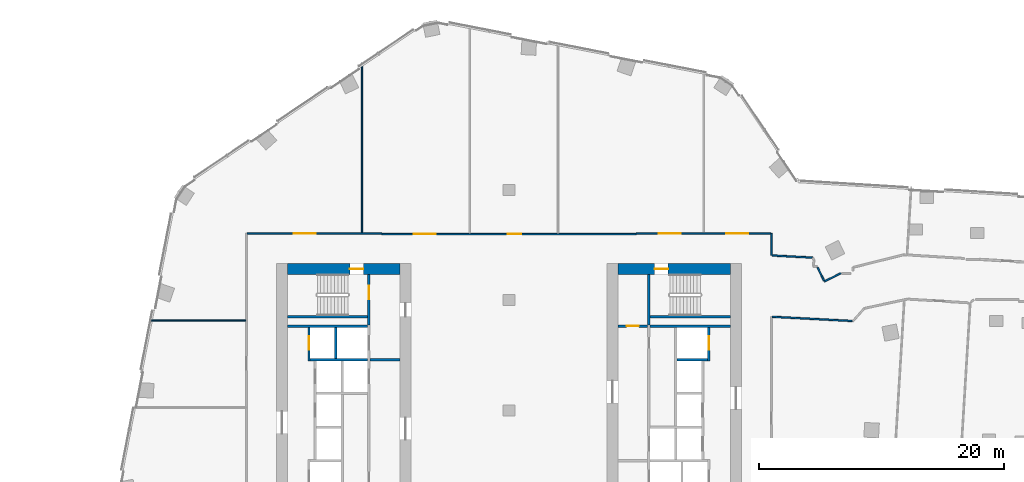
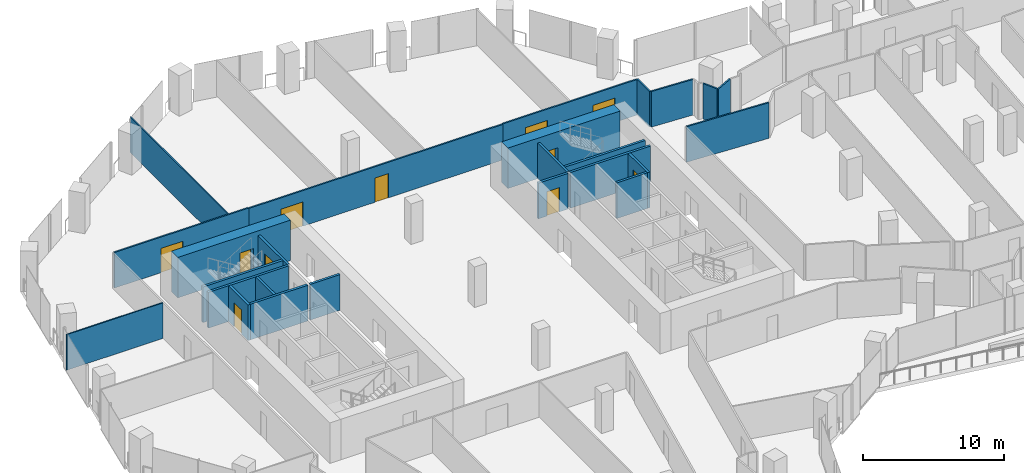
# One storey, part 26 of 34: 25 walls, 11 doors, 11 openings.
"""IFC4 building model written with IfcOpenShell, lengths in metres."""

from ifc_helpers import new_model, si_unit, direction, frame, frame_2d, origin, place, context, subcontext, project, spatial, rectangle, extrude, material, layer, layer_set, type_object, element, fill, save


model = new_model("IFC4")

# Units and contexts
model_context = context("Model", 3, precision=1e-05, world=origin(), true_north=direction((0.0, 1.0)))
body_context = subcontext(model_context, "Body", "Model", "MODEL_VIEW")
ifc_project = project(units=[si_unit("LENGTHUNIT", "METRE"), si_unit("AREAUNIT", "SQUARE_METRE"), si_unit("VOLUMEUNIT", "CUBIC_METRE"), si_unit("PLANEANGLEUNIT", "RADIAN"), si_unit("MASSUNIT", "GRAM", prefix="KILO")], contexts=[model_context])

# Site, building, storey
site_placement = place(None, origin())
site = spatial("IfcSite", under=ifc_project, at=site_placement, CompositionType="ELEMENT")
building_placement = place(site_placement, origin())
building = spatial("IfcBuilding", under=site, at=building_placement, Name="Orlundy Tower", CompositionType="ELEMENT")
storey_placement = place(building_placement, frame((0.0, 0.0, 145.60009765625)))
storey = spatial("IfcBuildingStorey", under=building, at=storey_placement, Name="L37", CompositionType="ELEMENT", Elevation=145.60009765625)

# Wall, opening, door
ifc_material_1 = material(Name="Concrete C70/85", Category="concrete")
ifc_layer_1 = layer(ifc_material_1, 0.89990234375)
ifc_layer_set_1 = layer_set([ifc_layer_1], Name="CORE WALL 900 C70/85")
wall_type_1 = type_object("IfcWallType", Name="CORE WALL 900 C70/85", PredefinedType="SHEAR", material=ifc_layer_set_1)
wall_1_placement = place(storey_placement, frame((-18.10009765625, 11.550048828125, 0.0), z_axis=(0.0, 0.0, 1.0), x_axis=(1.0, 0.0, 0.0)))
wall_1 = element("IfcWall", 1, at=wall_1_placement, inside=storey, type_object=wall_type_1, Name="Core wall W-N L37", PredefinedType="SHEAR", context=body_context, shape_type="SweptSolid", body=[
    extrude(rectangle(XDim=9.2001953125, YDim=0.89990234375, at=frame_2d((4.60009765625, 0.0))), origin(), (0.0, 0.0, 1.0), 3.5),
])
opening_1_placement = place(wall_1_placement, frame((5.10009765625, 0.0, 0.0)))
opening_1 = element("IfcOpeningElement", 2, at=opening_1_placement, cuts=wall_1, Name="Opening 28011", PredefinedType="OPENING", context=body_context, shape_type="SweptSolid", body=[
    extrude(rectangle(XDim=1.10009765625, YDim=2.10009765625, at=frame_2d((0.550048828125, 1.050048828125))), frame((0.0, 0.4599609375, 0.0), z_axis=(0.0, -1.0, 0.0), x_axis=(1.0, 0.0, 0.0)), (0.0, 0.0, 1.0), 0.919921875),
])
ifc_material_2 = material(Name="Steel door set", Category="steel")
door_type_1 = type_object("IfcDoorType", Name="Stair Door 1100x2100", OperationType="SINGLE_SWING_LEFT", PredefinedType="DOOR", material=ifc_material_2)
door_1_placement = place(opening_1_placement, origin())
door_1 = element("IfcDoor", 3, at=door_1_placement, inside=storey, type_object=door_type_1, Name="Stair door 28011", OperationType="SINGLE_SWING_RIGHT", OverallHeight=2.10009765625, OverallWidth=1.10009765625, PredefinedType="DOOR", context=body_context, shape_type="SweptSolid", body=[
    extrude(rectangle(XDim=1.10009765625, YDim=2.10009765625, at=frame_2d((0.550048828125, 1.050048828125))), frame((0.0, 0.02490234375, 0.0), z_axis=(0.0, -1.0, 0.0), x_axis=(1.0, 0.0, 0.0)), (0.0, 0.0, 1.0), 0.050048828125),
])
fill(opening_1, door_1)

wall_2_placement = place(storey_placement, frame((8.89990234375, 11.550048828125, 0.0), z_axis=(0.0, 0.0, 1.0), x_axis=(1.0, 0.0, 0.0)))
wall_2 = element("IfcWall", 4, at=wall_2_placement, inside=storey, type_object=wall_type_1, Name="Core wall E-N L37", PredefinedType="SHEAR", context=body_context, shape_type="SweptSolid", body=[
    extrude(rectangle(XDim=9.2001953125, YDim=0.89990234375, at=frame_2d((4.60009765625, 0.0))), origin(), (0.0, 0.0, 1.0), 3.5),
])
opening_2_placement = place(wall_2_placement, frame((3.0, 0.0, 0.0)))
opening_2 = element("IfcOpeningElement", 5, at=opening_2_placement, cuts=wall_2, Name="Opening 28061", PredefinedType="OPENING", context=body_context, shape_type="SweptSolid", body=[
    extrude(rectangle(XDim=1.10009765625, YDim=2.10009765625, at=frame_2d((0.550048828125, 1.050048828125))), frame((0.0, 0.4599609375, 0.0), z_axis=(0.0, -1.0, 0.0), x_axis=(1.0, 0.0, 0.0)), (0.0, 0.0, 1.0), 0.919921875),
])
door_2_placement = place(opening_2_placement, origin())
door_2 = element("IfcDoor", 6, at=door_2_placement, inside=storey, type_object=door_type_1, Name="Stair door 28061", OperationType="SINGLE_SWING_LEFT", OverallHeight=2.10009765625, OverallWidth=1.10009765625, PredefinedType="DOOR", context=body_context, shape_type="SweptSolid", body=[
    extrude(rectangle(XDim=1.10009765625, YDim=2.10009765625, at=frame_2d((0.550048828125, 1.050048828125))), frame((0.0, 0.02490234375, 0.0), z_axis=(0.0, -1.0, 0.0), x_axis=(1.0, 0.0, 0.0)), (0.0, 0.0, 1.0), 0.050048828125),
])
fill(opening_2, door_2)

# Walls
ifc_material_3 = material(Name="Gypsum board partition")
ifc_layer_2 = layer(ifc_material_3, 0.10009765625)
ifc_layer_set_2 = layer_set([ifc_layer_2], Name="Floor partition 100")
wall_type_2 = type_object("IfcWallType", Name="Floor partition 100", PredefinedType="PARTITIONING", material=ifc_layer_set_2)
wall_3_placement = place(storey_placement, frame((-29.389892578125, 7.3359375, 0.0), z_axis=(0.0, 0.0, 1.0), x_axis=(1.0, 0.0, 0.0)))
element("IfcWall", 7, at=wall_3_placement, inside=storey, type_object=wall_type_2, Name="wall-int-L37-069", PredefinedType="PARTITIONING", context=body_context, shape_type="SweptSolid", body=[
    extrude(rectangle(XDim=7.8779296875, YDim=0.10009765625, at=frame_2d((3.93896484375, 0.0))), origin(), (0.0, 0.0, 1.0), 3.079833984375),
])
wall_4_placement = place(storey_placement, frame((-12.0, 14.513916015625, 0.0), z_axis=(0.0, 0.0, 1.0), x_axis=(0.0, 1.0, 0.0)))
element("IfcWall", 8, at=wall_4_placement, inside=storey, type_object=wall_type_2, Name="wall-int-L37-146", PredefinedType="PARTITIONING", context=body_context, shape_type="SweptSolid", body=[
    extrude(rectangle(XDim=13.880126953125, YDim=0.10009765625, at=frame_2d((6.93994140625, 0.0))), origin(), (0.0, 0.0, 1.0), 3.079833984375),
])
ifc_material_4 = material(Name="Gypsum board partition, double layer")
ifc_layer_3 = layer(ifc_material_4, 0.125)
ifc_layer_set_3 = layer_set([ifc_layer_3], Name="Floor partition 125")
wall_type_3 = type_object("IfcWallType", Name="Floor partition 125", PredefinedType="PARTITIONING", material=ifc_layer_set_3)
wall_5_placement = place(storey_placement, frame((25.22412109375, 11.656982421875, 0.0), z_axis=(0.0, 0.0, 1.0), x_axis=(0.440468693638, -0.897767971096, 0.0)))
element("IfcWall", 9, at=wall_5_placement, inside=storey, type_object=wall_type_3, Name="wall-int-L37-007", PredefinedType="PARTITIONING", context=body_context, shape_type="SweptSolid", body=[
    extrude(rectangle(XDim=1.189453125, YDim=0.125, at=frame_2d((0.5947265625, 0.0))), origin(), (0.0, 0.0, 1.0), 3.079833984375),
])
wall_6_placement = place(storey_placement, frame((21.511962890625, 7.639892578125, 0.0), z_axis=(0.0, 0.0, 1.0), x_axis=(0.998607080765, -0.052762659579, 0.0)))
element("IfcWall", 10, at=wall_6_placement, inside=storey, type_object=wall_type_3, Name="wall-int-L37-045", PredefinedType="PARTITIONING", context=body_context, shape_type="SweptSolid", body=[
    extrude(rectangle(XDim=6.5380859375, YDim=0.125, at=frame_2d((3.26904296875, 0.0))), origin(), (0.0, 0.0, 1.0), 3.079833984375),
])
wall_7_placement = place(storey_placement, frame((21.511962890625, 12.64794921875, 0.0), z_axis=(0.0, 0.0, 1.0), x_axis=(0.998605393802, -0.052794578038, 0.0)))
element("IfcWall", 11, at=wall_7_placement, inside=storey, type_object=wall_type_3, Name="wall-int-L37-047", PredefinedType="PARTITIONING", context=body_context, shape_type="SweptSolid", body=[
    extrude(rectangle(XDim=3.315673828125, YDim=0.125, at=frame_2d((1.65771484375, 0.0))), origin(), (0.0, 0.0, 1.0), 3.079833984375),
])

# Wall, openings, doors
wall_8_placement = place(storey_placement, frame((-10.389892578125, 14.40087890625, 0.0), z_axis=(0.0, 0.0, 1.0), x_axis=(1.0, 0.0, 0.0)))
wall_8 = element("IfcWall", 12, at=wall_8_placement, inside=storey, type_object=wall_type_3, Name="wall-int-L37-075", PredefinedType="PARTITIONING", context=body_context, shape_type="SweptSolid", body=[
    extrude(rectangle(XDim=20.781005859375, YDim=0.125, at=frame_2d((10.390625, 0.0))), origin(), (0.0, 0.0, 1.0), 3.079833984375),
])
opening_3_placement = place(wall_8_placement, frame((10.294921875, 0.0, 0.0)))
opening_3 = element("IfcOpeningElement", 13, at=opening_3_placement, cuts=wall_8, Name="Opening 28130", PredefinedType="OPENING", context=body_context, shape_type="SweptSolid", body=[
    extrude(rectangle(XDim=1.10009765625, YDim=2.10009765625, at=frame_2d((0.550048828125, 1.050048828125))), frame((0.0, 0.072509765625, 0.0), z_axis=(0.0, -1.0, 0.0), x_axis=(1.0, 0.0, 0.0)), (0.0, 0.0, 1.0), 0.14501953125),
])
opening_4_placement = place(wall_8_placement, frame((2.60009765625, 0.0, 0.0)))
opening_4 = element("IfcOpeningElement", 14, at=opening_4_placement, cuts=wall_8, Name="Opening 28131", PredefinedType="OPENING", context=body_context, shape_type="SweptSolid", body=[
    extrude(rectangle(XDim=1.800048828125, YDim=2.10009765625, at=frame_2d((0.89990234375, 1.050048828125))), frame((0.0, 0.072509765625, 0.0), z_axis=(0.0, -1.0, 0.0), x_axis=(1.0, 0.0, 0.0)), (0.0, 0.0, 1.0), 0.14501953125),
])
ifc_material_5 = material(Name="Timber door leaf", Category="wood")
door_type_2 = type_object("IfcDoorType", Name="Floor door double 1800 FD30S", OperationType="NOTDEFINED", PredefinedType="DOOR", material=ifc_material_5)
door_3_placement = place(opening_4_placement, origin())
door_3 = element("IfcDoor", 15, at=door_3_placement, inside=storey, type_object=door_type_2, Name="Door 28131", OperationType="DOUBLE_DOOR_SINGLE_SWING", OverallHeight=2.10009765625, OverallWidth=1.800048828125, PredefinedType="DOOR", context=body_context, shape_type="SweptSolid", body=[
    extrude(rectangle(XDim=1.800048828125, YDim=2.10009765625, at=frame_2d((0.89990234375, 1.050048828125))), frame((0.0, 0.02490234375, 0.0), z_axis=(0.0, -1.0, 0.0), x_axis=(1.0, 0.0, 0.0)), (0.0, 0.0, 1.0), 0.050048828125),
])
fill(opening_4, door_3)
ifc_material_6 = material(Name="Timber door leaf", Category="wood")
door_type_3 = type_object("IfcDoorType", Name="Floor door xwide 1100 FD30S", OperationType="NOTDEFINED", PredefinedType="DOOR", material=ifc_material_6)
door_4_placement = place(opening_3_placement, origin())
door_4 = element("IfcDoor", 16, at=door_4_placement, inside=storey, type_object=door_type_3, Name="Door 28130", OperationType="SINGLE_SWING_RIGHT", OverallHeight=2.10009765625, OverallWidth=1.10009765625, PredefinedType="DOOR", context=body_context, shape_type="SweptSolid", body=[
    extrude(rectangle(XDim=1.10009765625, YDim=2.10009765625, at=frame_2d((0.550048828125, 1.050048828125))), frame((0.0, 0.02490234375, 0.0), z_axis=(0.0, -1.0, 0.0), x_axis=(1.0, 0.0, 0.0)), (0.0, 0.0, 1.0), 0.050048828125),
])
fill(opening_3, door_4)

# Wall, opening, door
wall_9_placement = place(storey_placement, frame((-21.386962890625, 14.450927734375, 0.0), z_axis=(0.0, 0.0, 1.0), x_axis=(1.0, 0.0, 0.0)))
wall_9 = element("IfcWall", 17, at=wall_9_placement, inside=storey, type_object=wall_type_3, Name="wall-int-L37-076", PredefinedType="PARTITIONING", context=body_context, shape_type="SweptSolid", body=[
    extrude(rectangle(XDim=10.995849609375, YDim=0.125, at=frame_2d((5.498046875, 0.0))), origin(), (0.0, 0.0, 1.0), 3.079833984375),
])
opening_5_placement = place(wall_9_placement, frame((3.78759765625, 0.0, 0.0)))
opening_5 = element("IfcOpeningElement", 18, at=opening_5_placement, cuts=wall_9, Name="Opening 28132", PredefinedType="OPENING", context=body_context, shape_type="SweptSolid", body=[
    extrude(rectangle(XDim=1.800048828125, YDim=2.10009765625, at=frame_2d((0.89990234375, 1.050048828125))), frame((0.0, 0.072509765625, 0.0), z_axis=(0.0, -1.0, 0.0), x_axis=(1.0, 0.0, 0.0)), (0.0, 0.0, 1.0), 0.14501953125),
])
door_5_placement = place(opening_5_placement, origin())
door_5 = element("IfcDoor", 19, at=door_5_placement, inside=storey, type_object=door_type_2, Name="Door 28132", OperationType="DOUBLE_DOOR_SINGLE_SWING", OverallHeight=2.10009765625, OverallWidth=1.800048828125, PredefinedType="DOOR", context=body_context, shape_type="SweptSolid", body=[
    extrude(rectangle(XDim=1.800048828125, YDim=2.10009765625, at=frame_2d((0.89990234375, 1.050048828125))), frame((0.0, 0.02490234375, 0.0), z_axis=(0.0, -1.0, 0.0), x_axis=(1.0, 0.0, 0.0)), (0.0, 0.0, 1.0), 0.050048828125),
])
fill(opening_5, door_5)

# Wall, openings, doors
wall_10_placement = place(storey_placement, frame((10.39111328125, 14.450927734375, 0.0), z_axis=(0.0, 0.0, 1.0), x_axis=(1.0, 0.0, 0.0)))
wall_10 = element("IfcWall", 20, at=wall_10_placement, inside=storey, type_object=wall_type_3, Name="wall-int-L37-077", PredefinedType="PARTITIONING", context=body_context, shape_type="SweptSolid", body=[
    extrude(rectangle(XDim=10.995849609375, YDim=0.125, at=frame_2d((5.498046875, 0.0))), origin(), (0.0, 0.0, 1.0), 3.079833984375),
])
opening_6_placement = place(wall_10_placement, frame((7.3798828125, 0.0, 0.0)))
opening_6 = element("IfcOpeningElement", 21, at=opening_6_placement, cuts=wall_10, Name="Opening 28128", PredefinedType="OPENING", context=body_context, shape_type="SweptSolid", body=[
    extrude(rectangle(XDim=1.800048828125, YDim=2.10009765625, at=frame_2d((0.89990234375, 1.050048828125))), frame((0.0, 0.072509765625, 0.0), z_axis=(0.0, -1.0, 0.0), x_axis=(1.0, 0.0, 0.0)), (0.0, 0.0, 1.0), 0.14501953125),
])
opening_7_placement = place(wall_10_placement, frame((1.85009765625, 0.0, 0.0)))
opening_7 = element("IfcOpeningElement", 22, at=opening_7_placement, cuts=wall_10, Name="Opening 28129", PredefinedType="OPENING", context=body_context, shape_type="SweptSolid", body=[
    extrude(rectangle(XDim=1.800048828125, YDim=2.10009765625, at=frame_2d((0.89990234375, 1.050048828125))), frame((0.0, 0.072509765625, 0.0), z_axis=(0.0, -1.0, 0.0), x_axis=(1.0, 0.0, 0.0)), (0.0, 0.0, 1.0), 0.14501953125),
])
door_6_placement = place(opening_6_placement, origin())
door_6 = element("IfcDoor", 23, at=door_6_placement, inside=storey, type_object=door_type_2, Name="Door 28128", OperationType="DOUBLE_DOOR_SINGLE_SWING", OverallHeight=2.10009765625, OverallWidth=1.800048828125, PredefinedType="DOOR", context=body_context, shape_type="SweptSolid", body=[
    extrude(rectangle(XDim=1.800048828125, YDim=2.10009765625, at=frame_2d((0.89990234375, 1.050048828125))), frame((0.0, 0.02490234375, 0.0), z_axis=(0.0, -1.0, 0.0), x_axis=(1.0, 0.0, 0.0)), (0.0, 0.0, 1.0), 0.050048828125),
])
fill(opening_6, door_6)
door_7_placement = place(opening_7_placement, origin())
door_7 = element("IfcDoor", 24, at=door_7_placement, inside=storey, type_object=door_type_2, Name="Door 28129", OperationType="DOUBLE_DOOR_SINGLE_SWING", OverallHeight=2.10009765625, OverallWidth=1.800048828125, PredefinedType="DOOR", context=body_context, shape_type="SweptSolid", body=[
    extrude(rectangle(XDim=1.800048828125, YDim=2.10009765625, at=frame_2d((0.89990234375, 1.050048828125))), frame((0.0, 0.02490234375, 0.0), z_axis=(0.0, -1.0, 0.0), x_axis=(1.0, 0.0, 0.0)), (0.0, 0.0, 1.0), 0.050048828125),
])
fill(opening_7, door_7)

# Walls
wall_11_placement = place(storey_placement, frame((25.77587890625, 10.532958984375, 0.0), z_axis=(0.0, 0.0, 1.0), x_axis=(0.897637072003, 0.440735393367, 0.0)))
element("IfcWall", 25, at=wall_11_placement, inside=storey, type_object=wall_type_3, Name="wall-int-L37-084", PredefinedType="PARTITIONING", context=body_context, shape_type="SweptSolid", body=[
    extrude(rectangle(XDim=1.4951171875, YDim=0.125, at=frame_2d((0.74755859375, 0.0))), origin(), (0.0, 0.0, 1.0), 3.079833984375),
])
wall_12_placement = place(storey_placement, frame((21.449951171875, 12.65087890625, 0.0), z_axis=(0.0, 0.0, 1.0), x_axis=(0.0, 1.0, 0.0)))
element("IfcWall", 26, at=wall_12_placement, inside=storey, type_object=wall_type_3, Name="wall-int-L37-134", PredefinedType="PARTITIONING", context=body_context, shape_type="SweptSolid", body=[
    extrude(rectangle(XDim=1.800048828125, YDim=0.125, at=frame_2d((0.89990234375, 0.0))), origin(), (0.0, 0.0, 1.0), 3.079833984375),
])

# Wall, opening, door
ifc_material_7 = material(Name="Concrete C40/50", Category="concrete")
ifc_layer_4 = layer(ifc_material_7, 0.199951171875)
ifc_layer_set_4 = layer_set([ifc_layer_4], Name="Load-bearing Shaft Wall 200")
wall_type_4 = type_object("IfcWallType", Name="Load-bearing Shaft Wall 200", PredefinedType="SOLIDWALL", material=ifc_layer_set_4)
wall_13_placement = place(storey_placement, frame((-11.43994140625, 6.97509765625, 0.0), z_axis=(0.0, 0.0, 1.0), x_axis=(0.0, 1.0, 0.0)))
wall_13 = element("IfcWall", 27, at=wall_13_placement, inside=storey, type_object=wall_type_4, Name="Shaft wall W28-stair-end-n", PredefinedType="SOLIDWALL", context=body_context, shape_type="SweptSolid", body=[
    extrude(rectangle(XDim=4.125, YDim=0.199951171875, at=frame_2d((2.0625, 0.0))), origin(), (0.0, 0.0, 1.0), 3.08984375),
])
opening_8_placement = place(wall_13_placement, frame((2.10009765625, 0.0, 0.0)))
opening_8 = element("IfcOpeningElement", 28, at=opening_8_placement, cuts=wall_13, Name="Opening 28013", PredefinedType="OPENING", context=body_context, shape_type="SweptSolid", body=[
    extrude(rectangle(XDim=1.10009765625, YDim=2.10009765625, at=frame_2d((0.550048828125, 1.050048828125))), frame((0.0, 0.110107421875, 0.0), z_axis=(0.0, -1.0, 0.0), x_axis=(1.0, 0.0, 0.0)), (0.0, 0.0, 1.0), 0.22021484375),
])
ifc_material_8 = material(Name="Steel door set", Category="steel")
door_type_4 = type_object("IfcDoorType", Name="Fire-fighting Lobby Door 1100x2100", OperationType="SINGLE_SWING_LEFT", PredefinedType="DOOR", material=ifc_material_8)
door_8_placement = place(opening_8_placement, origin())
door_8 = element("IfcDoor", 29, at=door_8_placement, inside=storey, type_object=door_type_4, Name="Fire-fighting lobby to stair door 28013", OperationType="SINGLE_SWING_RIGHT", OverallHeight=2.10009765625, OverallWidth=1.10009765625, PredefinedType="DOOR", context=body_context, shape_type="SweptSolid", body=[
    extrude(rectangle(XDim=1.10009765625, YDim=2.10009765625, at=frame_2d((0.550048828125, 1.050048828125))), frame((0.0, 0.02490234375, 0.0), z_axis=(0.0, -1.0, 0.0), x_axis=(1.0, 0.0, 0.0)), (0.0, 0.0, 1.0), 0.050048828125),
])
fill(opening_8, door_8)

# Walls
wall_14_placement = place(storey_placement, frame((-11.5400390625, 7.64990234375, 0.0), z_axis=(0.0, 0.0, 1.0), x_axis=(-1.0, 0.0, 0.0)))
element("IfcWall", 30, at=wall_14_placement, inside=storey, type_object=wall_type_4, Name="Shaft wall W28-stair-side-n", PredefinedType="SOLIDWALL", context=body_context, shape_type="SweptSolid", body=[
    extrude(rectangle(XDim=6.56005859375, YDim=0.199951171875, at=frame_2d((3.280029296875, 0.0))), origin(), (0.0, 0.0, 1.0), 3.08984375),
])
wall_15_placement = place(storey_placement, frame((11.43994140625, 11.10009765625, 0.0), z_axis=(0.0, 0.0, 1.0), x_axis=(0.0, -1.0, 0.0)))
element("IfcWall", 31, at=wall_15_placement, inside=storey, type_object=wall_type_4, Name="Shaft wall E28-stair-end-s", PredefinedType="SOLIDWALL", context=body_context, shape_type="SweptSolid", body=[
    extrude(rectangle(XDim=4.125, YDim=0.199951171875, at=frame_2d((2.0625, 0.0))), origin(), (0.0, 0.0, 1.0), 3.08984375),
])
wall_16_placement = place(storey_placement, frame((11.5400390625, 7.64990234375, 0.0), z_axis=(0.0, 0.0, 1.0), x_axis=(1.0, 0.0, 0.0)))
element("IfcWall", 32, at=wall_16_placement, inside=storey, type_object=wall_type_4, Name="Shaft wall E28-stair-side-s", PredefinedType="SOLIDWALL", context=body_context, shape_type="SweptSolid", body=[
    extrude(rectangle(XDim=6.56005859375, YDim=0.199951171875, at=frame_2d((3.280029296875, 0.0))), origin(), (0.0, 0.0, 1.0), 3.08984375),
])
ifc_material_9 = material(Name="Gypsum board partition on steel studs", Category="steel")
ifc_layer_5 = layer(ifc_material_9, 0.199951171875)
ifc_layer_set_5 = layer_set([ifc_layer_5], Name="Partition 200")
wall_type_5 = type_object("IfcWallType", Name="Partition 200", PredefinedType="PARTITIONING", material=ifc_layer_set_5)
wall_17_placement = place(storey_placement, frame((-8.89990234375, 4.125, 0.0), z_axis=(0.0, 0.0, 1.0), x_axis=(-1.0, 0.0, 0.0)))
element("IfcWall", 33, at=wall_17_placement, inside=storey, type_object=wall_type_5, Name="Partition wall W28-lobby-n", PredefinedType="PARTITIONING", context=body_context, shape_type="SweptSolid", body=[
    extrude(rectangle(XDim=2.440185546875, YDim=0.199951171875, at=frame_2d((1.22021484375, 0.0))), origin(), (0.0, 0.0, 1.0), 3.08984375),
])

# Wall, opening, door
wall_18_placement = place(storey_placement, frame((8.89990234375, 6.875, 0.0), z_axis=(0.0, 0.0, 1.0), x_axis=(1.0, 0.0, 0.0)))
wall_18 = element("IfcWall", 34, at=wall_18_placement, inside=storey, type_object=wall_type_5, Name="Partition wall E28-end-s", PredefinedType="PARTITIONING", context=body_context, shape_type="SweptSolid", body=[
    extrude(rectangle(XDim=2.440185546875, YDim=0.199951171875, at=frame_2d((1.22021484375, 0.0))), origin(), (0.0, 0.0, 1.0), 3.08984375),
])
opening_9_placement = place(wall_18_placement, frame((0.719970703125, 0.0, 0.0)))
opening_9 = element("IfcOpeningElement", 35, at=opening_9_placement, cuts=wall_18, Name="Opening 28063", PredefinedType="OPENING", context=body_context, shape_type="SweptSolid", body=[
    extrude(rectangle(XDim=1.0, YDim=2.10009765625, at=frame_2d((0.5, 1.050048828125))), frame((0.0, 0.110107421875, 0.0), z_axis=(0.0, -1.0, 0.0), x_axis=(1.0, 0.0, 0.0)), (0.0, 0.0, 1.0), 0.22021484375),
])
ifc_material_10 = material(Name="Timber door set", Category="wood")
door_type_5 = type_object("IfcDoorType", Name="Accessible Door 1000x2100", OperationType="SINGLE_SWING_LEFT", PredefinedType="DOOR", material=ifc_material_10)
door_9_placement = place(opening_9_placement, origin())
door_9 = element("IfcDoor", 36, at=door_9_placement, inside=storey, type_object=door_type_5, Name="Accessible WC door 28063", OperationType="SINGLE_SWING_RIGHT", OverallHeight=2.10009765625, OverallWidth=1.0, PredefinedType="DOOR", context=body_context, shape_type="SweptSolid", body=[
    extrude(rectangle(XDim=1.0, YDim=2.10009765625, at=frame_2d((0.5, 1.050048828125))), frame((0.0, 0.02490234375, 0.0), z_axis=(0.0, -1.0, 0.0), x_axis=(1.0, 0.0, 0.0)), (0.0, 0.0, 1.0), 0.050048828125),
])
fill(opening_9, door_9)

# Walls
ifc_material_11 = material(Name="Fire-rated blockwork shaft wall", Category="masonry")
ifc_layer_6 = layer(ifc_material_11, 0.199951171875)
ifc_layer_set_6 = layer_set([ifc_layer_6], Name="Shaft Wall 200")
wall_type_6 = type_object("IfcWallType", Name="Shaft Wall 200", PredefinedType="SOLIDWALL", material=ifc_layer_set_6)
wall_19_placement = place(storey_placement, frame((-11.5400390625, 6.875, 0.0), z_axis=(0.0, 0.0, 1.0), x_axis=(-1.0, 0.0, 0.0)))
element("IfcWall", 37, at=wall_19_placement, inside=storey, type_object=wall_type_6, Name="Shaft wall W28-zone-n", PredefinedType="SOLIDWALL", context=body_context, shape_type="SweptSolid", body=[
    extrude(rectangle(XDim=6.56005859375, YDim=0.199951171875, at=frame_2d((3.280029296875, 0.0))), origin(), (0.0, 0.0, 1.0), 3.08984375),
])
wall_20_placement = place(storey_placement, frame((-11.5400390625, 4.125, 0.0), z_axis=(0.0, 0.0, 1.0), x_axis=(-1.0, 0.0, 0.0)))
element("IfcWall", 38, at=wall_20_placement, inside=storey, type_object=wall_type_6, Name="Shaft wall W28-cross+4.125", PredefinedType="SOLIDWALL", context=body_context, shape_type="SweptSolid", body=[
    extrude(rectangle(XDim=4.699951171875, YDim=0.199951171875, at=frame_2d((2.35009765625, 0.0))), origin(), (0.0, 0.0, 1.0), 3.08984375),
])
wall_21_placement = place(storey_placement, frame((-14.139892578125, 4.22509765625, 0.0), z_axis=(0.0, 0.0, 1.0), x_axis=(0.0, 1.0, 0.0)))
element("IfcWall", 39, at=wall_21_placement, inside=storey, type_object=wall_type_6, Name="Shaft wall W28-mid-b", PredefinedType="SOLIDWALL", context=body_context, shape_type="SweptSolid", body=[
    extrude(rectangle(XDim=2.5498046875, YDim=0.199951171875, at=frame_2d((1.27490234375, 0.0))), origin(), (0.0, 0.0, 1.0), 3.08984375),
])

# Wall, opening, door
wall_22_placement = place(storey_placement, frame((-16.340087890625, 4.02490234375, 0.0), z_axis=(0.0, 0.0, 1.0), x_axis=(0.0, 1.0, 0.0)))
wall_22 = element("IfcWall", 40, at=wall_22_placement, inside=storey, type_object=wall_type_6, Name="Shaft wall W28-front-o-c", PredefinedType="SOLIDWALL", context=body_context, shape_type="SweptSolid", body=[
    extrude(rectangle(XDim=2.75, YDim=0.199951171875, at=frame_2d((1.375, 0.0))), origin(), (0.0, 0.0, 1.0), 3.08984375),
])
opening_10_placement = place(wall_22_placement, frame((0.925048828125, 0.0, 0.0)))
opening_10 = element("IfcOpeningElement", 41, at=opening_10_placement, cuts=wall_22, Name="Opening 28006", PredefinedType="OPENING", context=body_context, shape_type="SweptSolid", body=[
    extrude(rectangle(XDim=1.10009765625, YDim=2.10009765625, at=frame_2d((0.550048828125, 1.050048828125))), frame((0.0, 0.110107421875, 0.0), z_axis=(0.0, -1.0, 0.0), x_axis=(1.0, 0.0, 0.0)), (0.0, 0.0, 1.0), 0.22021484375),
])
ifc_material_12 = material(Name="Steel door set", Category="steel")
door_type_6 = type_object("IfcDoorType", Name="Landing Door 1100x2100", OperationType="DOUBLE_DOOR_SLIDING", PredefinedType="DOOR", material=ifc_material_12)
door_10_placement = place(opening_10_placement, origin())
door_10 = element("IfcDoor", 42, at=door_10_placement, inside=storey, type_object=door_type_6, Name="Lift landing door LP-14 28006", OperationType="DOUBLE_DOOR_SLIDING", OverallHeight=2.10009765625, OverallWidth=1.10009765625, PredefinedType="DOOR", context=body_context, shape_type="SweptSolid", body=[
    extrude(rectangle(XDim=1.10009765625, YDim=2.10009765625, at=frame_2d((0.550048828125, 1.050048828125))), frame((0.0, 0.02490234375, 0.0), z_axis=(0.0, -1.0, 0.0), x_axis=(1.0, 0.0, 0.0)), (0.0, 0.0, 1.0), 0.050048828125),
])
fill(opening_10, door_10)

# Walls
wall_23_placement = place(storey_placement, frame((11.5400390625, 6.875, 0.0), z_axis=(0.0, 0.0, 1.0), x_axis=(1.0, 0.0, 0.0)))
element("IfcWall", 43, at=wall_23_placement, inside=storey, type_object=wall_type_6, Name="Shaft wall E28-zone-s", PredefinedType="SOLIDWALL", context=body_context, shape_type="SweptSolid", body=[
    extrude(rectangle(XDim=6.56005859375, YDim=0.199951171875, at=frame_2d((3.280029296875, 0.0))), origin(), (0.0, 0.0, 1.0), 3.08984375),
])
wall_24_placement = place(storey_placement, frame((13.739990234375, 4.125, 0.0), z_axis=(0.0, 0.0, 1.0), x_axis=(1.0, 0.0, 0.0)))
element("IfcWall", 44, at=wall_24_placement, inside=storey, type_object=wall_type_6, Name="Shaft wall E28-cross-4.125", PredefinedType="SOLIDWALL", context=body_context, shape_type="SweptSolid", body=[
    extrude(rectangle(XDim=2.5, YDim=0.199951171875, at=frame_2d((1.25, 0.0))), origin(), (0.0, 0.0, 1.0), 3.08984375),
])

# Wall, opening, door
wall_25_placement = place(storey_placement, frame((16.340087890625, 6.77490234375, 0.0), z_axis=(0.0, 0.0, 1.0), x_axis=(0.0, -1.0, 0.0)))
wall_25 = element("IfcWall", 45, at=wall_25_placement, inside=storey, type_object=wall_type_6, Name="Shaft wall E28-front-o-a", PredefinedType="SOLIDWALL", context=body_context, shape_type="SweptSolid", body=[
    extrude(rectangle(XDim=2.75, YDim=0.199951171875, at=frame_2d((1.375, 0.0))), origin(), (0.0, 0.0, 1.0), 3.08984375),
])
opening_11_placement = place(wall_25_placement, frame((0.72509765625, 0.0, 0.0)))
opening_11 = element("IfcOpeningElement", 46, at=opening_11_placement, cuts=wall_25, Name="Opening 28050", PredefinedType="OPENING", context=body_context, shape_type="SweptSolid", body=[
    extrude(rectangle(XDim=1.10009765625, YDim=2.10009765625, at=frame_2d((0.550048828125, 1.050048828125))), frame((0.0, 0.110107421875, 0.0), z_axis=(0.0, -1.0, 0.0), x_axis=(1.0, 0.0, 0.0)), (0.0, 0.0, 1.0), 0.22021484375),
])
door_11_placement = place(opening_11_placement, origin())
door_11 = element("IfcDoor", 47, at=door_11_placement, inside=storey, type_object=door_type_6, Name="Lift landing door LV-02 28050", OperationType="DOUBLE_DOOR_SLIDING", OverallHeight=2.10009765625, OverallWidth=1.10009765625, PredefinedType="DOOR", context=body_context, shape_type="SweptSolid", body=[
    extrude(rectangle(XDim=1.10009765625, YDim=2.10009765625, at=frame_2d((0.550048828125, 1.050048828125))), frame((0.0, 0.02490234375, 0.0), z_axis=(0.0, -1.0, 0.0), x_axis=(1.0, 0.0, 0.0)), (0.0, 0.0, 1.0), 0.050048828125),
])
fill(opening_11, door_11)

save(model, "model.ifc")
